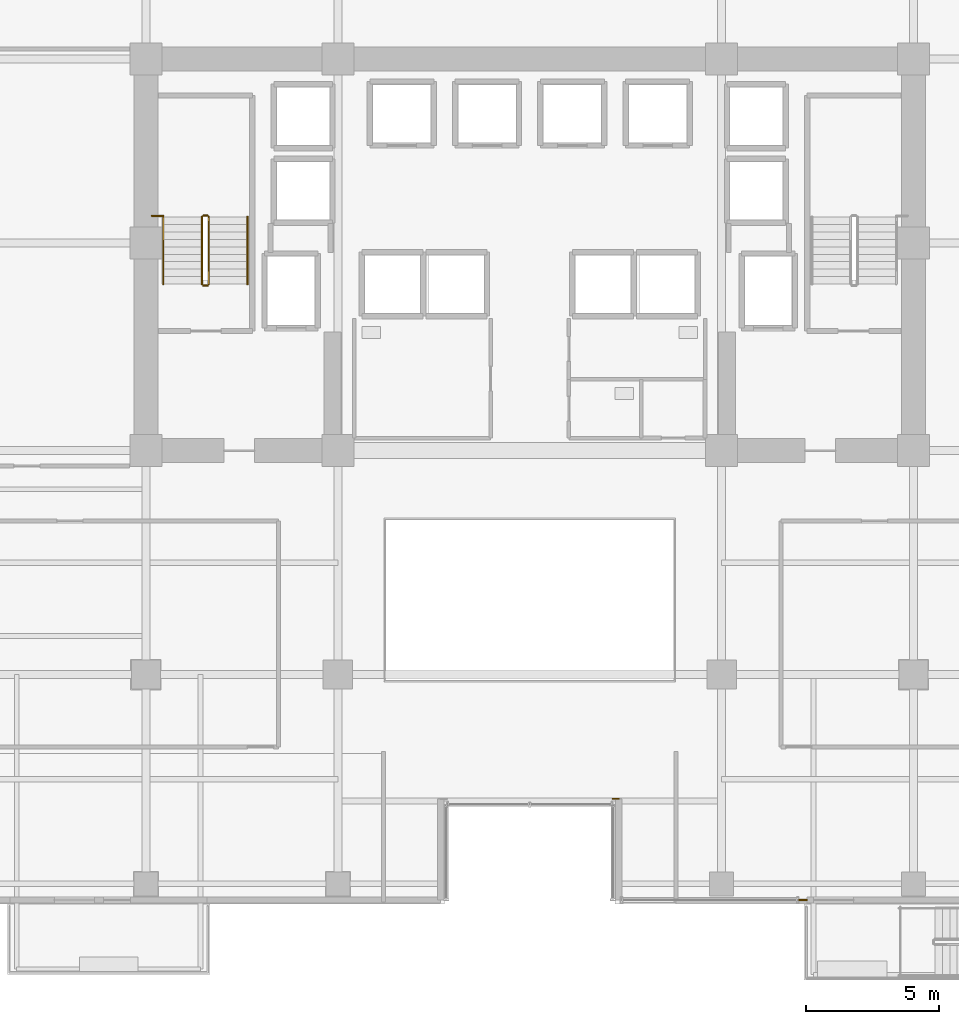
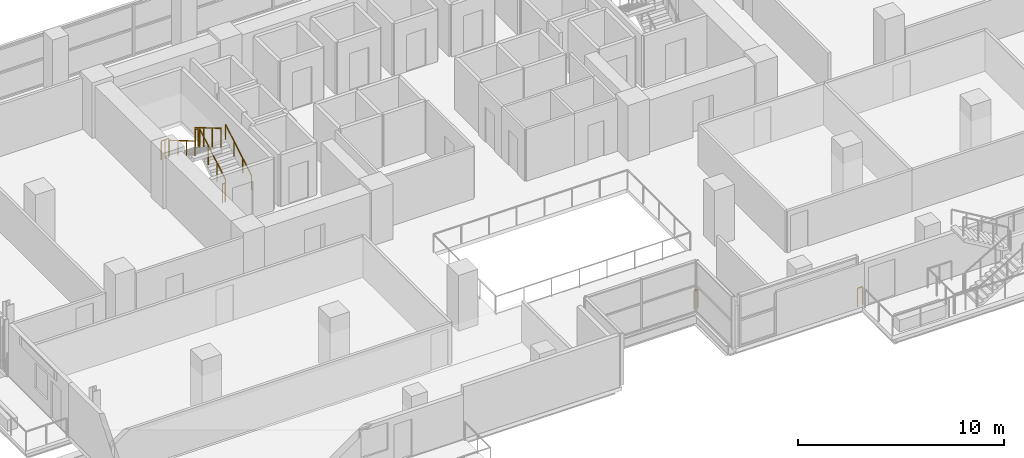
# One storey, part 29 of 31: 9 railings.
"""IFC4 building model written with IfcOpenShell, lengths in metres."""

from ifc_helpers import new_model, si_unit, direction, frame, origin, origin_2d, place, context, subcontext, project, spatial, rectangle, extrude, material, type_object, element, save


model = new_model("IFC4")

# Units and contexts
model_context = context("Model", 3, precision=1e-05, world=origin(), true_north=direction((0.0, 1.0)))
body_context = subcontext(model_context, "Body", "Model", "MODEL_VIEW")
ifc_project = project(units=[si_unit("LENGTHUNIT", "METRE"), si_unit("AREAUNIT", "SQUARE_METRE"), si_unit("VOLUMEUNIT", "CUBIC_METRE"), si_unit("PLANEANGLEUNIT", "RADIAN"), si_unit("MASSUNIT", "GRAM", prefix="KILO")], contexts=[model_context])

# Site, building, storey
site_placement = place(None, origin())
site = spatial("IfcSite", under=ifc_project, at=site_placement, CompositionType="ELEMENT")
building_placement = place(site_placement, origin())
building = spatial("IfcBuilding", under=site, at=building_placement, Name="Zarnakvel Exchange Tower", CompositionType="ELEMENT")
storey_placement = place(building_placement, frame((0.0, 0.0, 53.800048828125)))
storey = spatial("IfcBuildingStorey", under=building, at=storey_placement, Name="L14", CompositionType="ELEMENT", Elevation=53.800048828125)

# Railings
ifc_material_1 = material(Name="Architectural Bronze Anodised Aluminium", Category="aluminium")
railing_type_1 = type_object("IfcRailingType", Name="GR-02", PredefinedType="GUARDRAIL", material=ifc_material_1)
railing_1_placement = place(storey_placement, frame((10.39990234375, -18.06005859375, 0.0)))
element("IfcRailing", 1, at=railing_1_placement, inside=storey, type_object=railing_type_1, Name="L14 Corner Spandrel Balustrade #16", PredefinedType="GUARDRAIL", context=body_context, shape_type="SweptSolid", body=[
    extrude(rectangle(XDim=0.048095703125, YDim=0.048095703125, at=origin_2d()), frame((0.0, 0.0, 1.09619140625), z_axis=(-1.0, 0.0, 0.0), x_axis=(0.0, -1.0, 0.0)), (0.0, 0.0, 1.0), 0.2998046875),
    extrude(rectangle(XDim=0.0419921875, YDim=0.0419921875, at=origin_2d()), origin(), (0.0, 0.0, 1.0), 1.072021484375),
    extrude(rectangle(XDim=0.0419921875, YDim=0.0419921875, at=origin_2d()), frame((-0.2998046875, 0.0, 0.0)), (0.0, 0.0, 1.0), 1.072021484375),
])
railing_2_placement = place(storey_placement, frame((3.340087890625, -14.260009765625, 0.0)))
element("IfcRailing", 2, at=railing_2_placement, inside=storey, type_object=railing_type_1, Name="L14 Corner Spandrel Balustrade #18", PredefinedType="GUARDRAIL", context=body_context, shape_type="SweptSolid", body=[
    extrude(rectangle(XDim=0.048095703125, YDim=0.048095703125, at=origin_2d()), frame((0.0, 0.0, 1.09619140625), z_axis=(-1.0, 0.0, 0.0), x_axis=(0.0, -1.0, 0.0)), (0.0, 0.0, 1.0), 0.219970703125),
    extrude(rectangle(XDim=0.0419921875, YDim=0.0419921875, at=origin_2d()), origin(), (0.0, 0.0, 1.0), 1.072021484375),
    extrude(rectangle(XDim=0.0419921875, YDim=0.0419921875, at=origin_2d()), frame((-0.219970703125, 0.0, 0.0)), (0.0, 0.0, 1.0), 1.072021484375),
])
ifc_material_2 = material(Name="Brushed Stainless Steel", Category="steel")
railing_type_2 = type_object("IfcRailingType", Name="HR-01", PredefinedType="HANDRAIL", material=ifc_material_2)
railing_3_placement = place(storey_placement, frame((-10.590087890625, 5.050048828125, 0.1650390625)))
element("IfcRailing", 3, at=railing_3_placement, inside=storey, type_object=railing_type_2, Name="L14 ST-01 stair handrail 1", PredefinedType="HANDRAIL", context=body_context, shape_type="SweptSolid", body=[
    extrude(rectangle(XDim=0.048095703125, YDim=0.048095703125, at=origin_2d()), frame((0.0, 0.0, 0.8759765625), z_axis=(0.0, 0.861560626758, 0.507654692109), x_axis=(-1.0, 0.0, 0.0)), (0.0, 0.0, 1.0), 2.925048828125),
    extrude(rectangle(XDim=0.0419921875, YDim=0.0419921875, at=origin_2d()), origin(), (0.0, 0.0, 1.0), 0.851806640625),
    extrude(rectangle(XDim=0.0419921875, YDim=0.0419921875, at=origin_2d()), frame((0.0, 0.840087890625, 0.494873046875)), (0.0, 0.0, 1.0), 0.851806640625),
    extrude(rectangle(XDim=0.0419921875, YDim=0.0419921875, at=origin_2d()), frame((0.0, 1.679931640625, 0.989990234375)), (0.0, 0.0, 1.0), 0.851806640625),
    extrude(rectangle(XDim=0.0419921875, YDim=0.0419921875, at=origin_2d()), frame((0.0, 2.52001953125, 1.48486328125)), (0.0, 0.0, 1.0), 0.851806640625),
])
railing_4_placement = place(storey_placement, frame((-13.75, 7.570068359375, 1.81494140625)))
element("IfcRailing", 4, at=railing_4_placement, inside=storey, type_object=railing_type_2, Name="L14 ST-01 stair handrail 2", PredefinedType="HANDRAIL", context=body_context, shape_type="SweptSolid", body=[
    extrude(rectangle(XDim=0.048095703125, YDim=0.048095703125, at=origin_2d()), frame((0.0, 0.0, 0.8759765625), z_axis=(0.0, -0.86152411907, 0.507716645641), x_axis=(1.0, 0.0, 0.0)), (0.0, 0.0, 1.0), 2.925048828125),
    extrude(rectangle(XDim=0.0419921875, YDim=0.0419921875, at=origin_2d()), origin(), (0.0, 0.0, 1.0), 0.851806640625),
    extrude(rectangle(XDim=0.0419921875, YDim=0.0419921875, at=origin_2d()), frame((0.0, -0.840087890625, 0.4951171875)), (0.0, 0.0, 1.0), 0.851806640625),
    extrude(rectangle(XDim=0.0419921875, YDim=0.0419921875, at=origin_2d()), frame((0.0, -1.679931640625, 0.989990234375)), (0.0, 0.0, 1.0), 0.851806640625),
    extrude(rectangle(XDim=0.0419921875, YDim=0.0419921875, at=origin_2d()), frame((0.0, -2.52001953125, 1.485107421875)), (0.0, 0.0, 1.0), 0.851806640625),
])
railing_type_3 = type_object("IfcRailingType", Name="SG-01", PredefinedType="GUARDRAIL", material=ifc_material_1)
railing_5_placement = place(storey_placement, frame((-12.0400390625, 5.050048828125, 0.1650390625)))
element("IfcRailing", 5, at=railing_5_placement, inside=storey, type_object=railing_type_3, Name="L14 ST-01 stair guard 1", PredefinedType="GUARDRAIL", context=body_context, shape_type="SweptSolid", body=[
    extrude(rectangle(XDim=0.048095703125, YDim=0.048095703125, at=origin_2d()), frame((0.0, 0.0, 1.1259765625), z_axis=(0.0, 0.861560626758, 0.507654692109), x_axis=(-1.0, 0.0, 0.0)), (0.0, 0.0, 1.0), 2.925048828125),
    extrude(rectangle(XDim=0.0419921875, YDim=0.0419921875, at=origin_2d()), origin(), (0.0, 0.0, 1.0), 1.101806640625),
    extrude(rectangle(XDim=0.0419921875, YDim=0.0419921875, at=origin_2d()), frame((0.0, 0.840087890625, 0.494873046875)), (0.0, 0.0, 1.0), 1.101806640625),
    extrude(rectangle(XDim=0.0419921875, YDim=0.0419921875, at=origin_2d()), frame((0.0, 1.679931640625, 0.989990234375)), (0.0, 0.0, 1.0), 1.101806640625),
    extrude(rectangle(XDim=0.0419921875, YDim=0.0419921875, at=origin_2d()), frame((0.0, 2.52001953125, 1.48486328125)), (0.0, 0.0, 1.0), 1.101806640625),
])
railing_6_placement = place(storey_placement, frame((-12.090087890625, 7.6201171875, 1.64990234375)))
element("IfcRailing", 6, at=railing_6_placement, inside=storey, type_object=railing_type_3, Name="L14 ST-01 stair guard 2", PredefinedType="GUARDRAIL", context=body_context, shape_type="SweptSolid", body=[
    extrude(rectangle(XDim=0.048095703125, YDim=0.048095703125, at=origin_2d()), frame((0.0, 0.0, 1.1259765625), z_axis=(-1.0, 0.0, 0.0), x_axis=(0.0, -1.0, 0.0)), (0.0, 0.0, 1.0), 0.159912109375),
    extrude(rectangle(XDim=0.0419921875, YDim=0.0419921875, at=origin_2d()), origin(), (0.0, 0.0, 1.0), 1.101806640625),
    extrude(rectangle(XDim=0.0419921875, YDim=0.0419921875, at=origin_2d()), frame((-0.159912109375, 0.0, 0.0)), (0.0, 0.0, 1.0), 1.101806640625),
])
railing_7_placement = place(storey_placement, frame((-12.300048828125, 7.570068359375, 1.81494140625)))
element("IfcRailing", 7, at=railing_7_placement, inside=storey, type_object=railing_type_3, Name="L14 ST-01 stair guard 3", PredefinedType="GUARDRAIL", context=body_context, shape_type="SweptSolid", body=[
    extrude(rectangle(XDim=0.048095703125, YDim=0.048095703125, at=origin_2d()), frame((0.0, 0.0, 1.1259765625), z_axis=(0.0, -0.86152411907, 0.507716645641), x_axis=(1.0, 0.0, 0.0)), (0.0, 0.0, 1.0), 2.925048828125),
    extrude(rectangle(XDim=0.0419921875, YDim=0.0419921875, at=origin_2d()), origin(), (0.0, 0.0, 1.0), 1.101806640625),
    extrude(rectangle(XDim=0.0419921875, YDim=0.0419921875, at=origin_2d()), frame((0.0, -0.840087890625, 0.4951171875)), (0.0, 0.0, 1.0), 1.101806640625),
    extrude(rectangle(XDim=0.0419921875, YDim=0.0419921875, at=origin_2d()), frame((0.0, -1.679931640625, 0.989990234375)), (0.0, 0.0, 1.0), 1.101806640625),
    extrude(rectangle(XDim=0.0419921875, YDim=0.0419921875, at=origin_2d()), frame((0.0, -2.52001953125, 1.485107421875)), (0.0, 0.0, 1.0), 1.101806640625),
])
railing_8_placement = place(storey_placement, frame((-12.090087890625, 5.0, 0.0)))
element("IfcRailing", 8, at=railing_8_placement, inside=storey, type_object=railing_type_3, Name="L14 ST-01 stair guard 4", PredefinedType="GUARDRAIL", context=body_context, shape_type="SweptSolid", body=[
    extrude(rectangle(XDim=0.048095703125, YDim=0.048095703125, at=origin_2d()), frame((0.0, 0.0, 1.1259765625), z_axis=(-1.0, 0.0, 0.0), x_axis=(0.0, -1.0, 0.0)), (0.0, 0.0, 1.0), 0.159912109375),
    extrude(rectangle(XDim=0.0419921875, YDim=0.0419921875, at=origin_2d()), origin(), (0.0, 0.0, 1.0), 1.101806640625),
    extrude(rectangle(XDim=0.0419921875, YDim=0.0419921875, at=origin_2d()), frame((-0.159912109375, 0.0, 0.0)), (0.0, 0.0, 1.0), 1.101806640625),
])
railing_9_placement = place(storey_placement, frame((-14.179931640625, 7.610107421875, 1.64990234375)))
element("IfcRailing", 9, at=railing_9_placement, inside=storey, type_object=railing_type_3, Name="L14 ST-01 Landing Slot Guardrail", PredefinedType="GUARDRAIL", context=body_context, shape_type="SweptSolid", body=[
    extrude(rectangle(XDim=0.048095703125, YDim=0.048095703125, at=origin_2d()), frame((0.0, 0.0, 1.1259765625), z_axis=(1.0, 0.0, 0.0), x_axis=(0.0, 1.0, 0.0)), (0.0, 0.0, 1.0), 0.429931640625),
    extrude(rectangle(XDim=0.0419921875, YDim=0.0419921875, at=origin_2d()), origin(), (0.0, 0.0, 1.0), 1.101806640625),
    extrude(rectangle(XDim=0.0419921875, YDim=0.0419921875, at=origin_2d()), frame((0.21484375, 0.0, 0.0)), (0.0, 0.0, 1.0), 1.101806640625),
    extrude(rectangle(XDim=0.0419921875, YDim=0.0419921875, at=origin_2d()), frame((0.429931640625, 0.0, 0.0)), (0.0, 0.0, 1.0), 1.101806640625),
])

save(model, "model.ifc")
